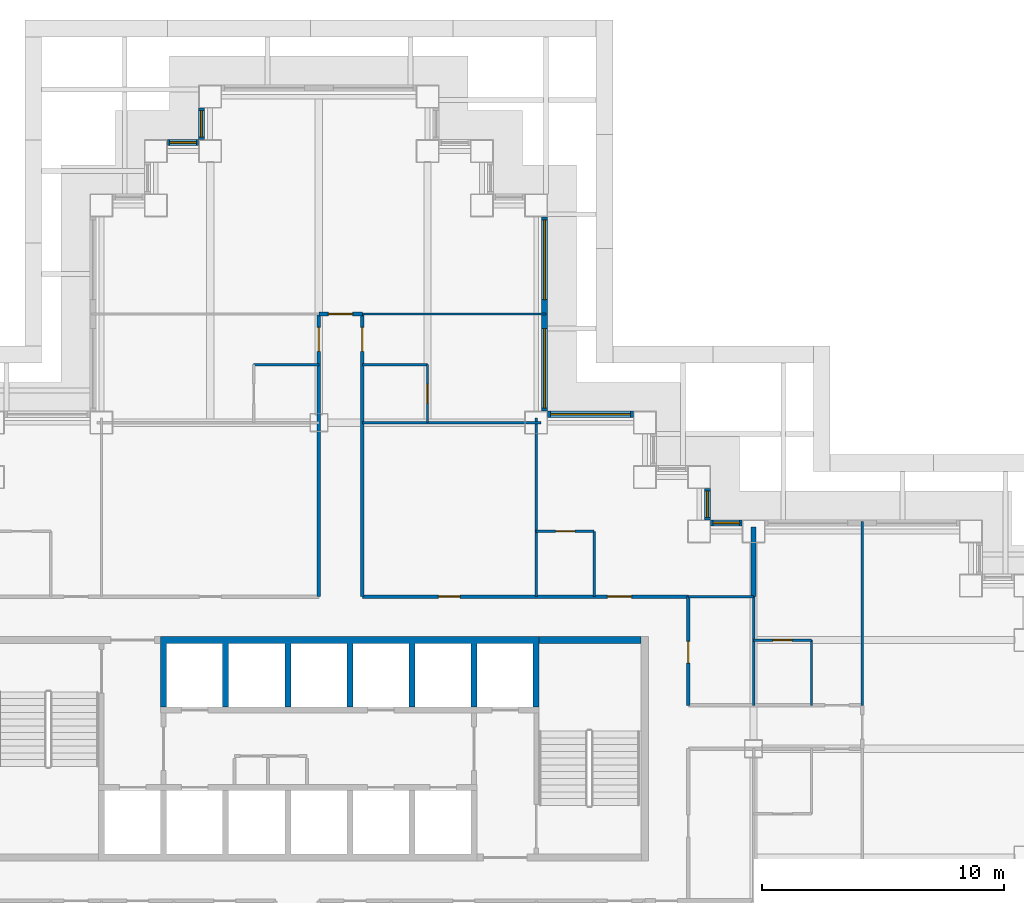
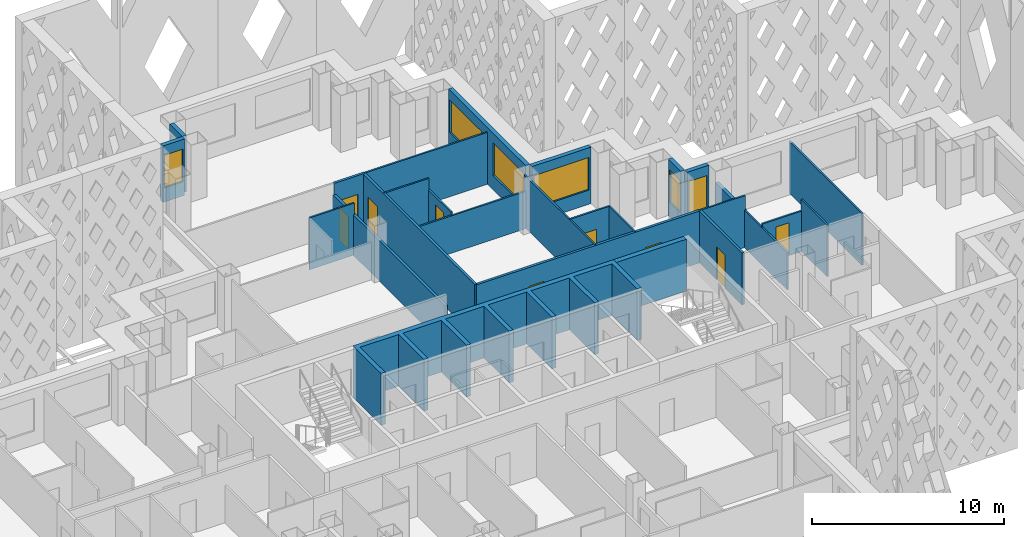
# One storey, part 8 of 19: 27 walls, 9 doors, 7 windows, 16 openings.
"""IFC4 building model written with IfcOpenShell, lengths in metres."""

from ifc_helpers import new_model, si_unit, direction, frame, frame_2d, origin, place, context, subcontext, project, spatial, polyline, rectangle, outline, extrude, material, layer, layer_set, type_object, element, fill, save


model = new_model("IFC4")

# Units and contexts
model_context = context("Model", 3, precision=1e-05, world=origin(), true_north=direction((0.0, 1.0)))
body_context = subcontext(model_context, "Body", "Model", "MODEL_VIEW")
ifc_project = project(units=[si_unit("LENGTHUNIT", "METRE"), si_unit("AREAUNIT", "SQUARE_METRE"), si_unit("VOLUMEUNIT", "CUBIC_METRE"), si_unit("PLANEANGLEUNIT", "RADIAN"), si_unit("MASSUNIT", "GRAM", prefix="KILO")], contexts=[model_context])

# Site, building, storey
site_placement = place(None, origin())
site = spatial("IfcSite", under=ifc_project, at=site_placement, CompositionType="ELEMENT")
building_placement = place(site_placement, origin())
building = spatial("IfcBuilding", under=site, at=building_placement, Name="Caravel Reach Hotel and Residences", CompositionType="ELEMENT")
storey_placement = place(building_placement, frame((0.0, 0.0, 85.199951171875)))
storey = spatial("IfcBuildingStorey", under=building, at=storey_placement, Name="L20", CompositionType="ELEMENT", Elevation=85.199951171875)

# Wall, opening, door
ifc_material_1 = material(Name="Gypsum board on steel stud", Category="steel")
ifc_layer_1 = layer(ifc_material_1, 0.10009765625)
ifc_layer_set_1 = layer_set([ifc_layer_1], Name="Bathroom pod wall 100 mm")
wall_type_1 = type_object("IfcWallType", Name="Bathroom pod wall 100 mm", PredefinedType="PARTITIONING", material=ifc_layer_set_1)
wall_1_placement = place(storey_placement, frame((49.5, 31.5, 0.0), z_axis=(0.0, 0.0, 1.0), x_axis=(1.0, 0.0, 0.0)))
wall_1 = element("IfcWall", 1, at=wall_1_placement, inside=storey, type_object=wall_type_1, Name="L20 wall w078", PredefinedType="PARTITIONING", context=body_context, shape_type="SweptSolid", body=[
    extrude(rectangle(XDim=2.39990234375, YDim=0.10009765625, at=frame_2d((1.199951171875, 0.0))), origin(), (0.0, 0.0, 1.0), 2.580078125),
])
opening_1_placement = place(wall_1_placement, frame((0.800048828125, 0.0, 0.0)))
opening_1 = element("IfcOpeningElement", 2, at=opening_1_placement, cuts=wall_1, Name="Opening D20-025", PredefinedType="OPENING", context=body_context, shape_type="SweptSolid", body=[
    extrude(rectangle(XDim=0.800048828125, YDim=2.10009765625, at=frame_2d((0.39990234375, 1.050048828125))), frame((0.0, 0.06005859375, 0.0), z_axis=(0.0, -1.0, 0.0), x_axis=(1.0, 0.0, 0.0)), (0.0, 0.0, 1.0), 0.1201171875),
])
ifc_material_2 = material(Name="Timber and steel door leaf", Category="steel")
door_type_1 = type_object("IfcDoorType", Name="Bathroom door 800 x 2100", OperationType="SINGLE_SWING_LEFT", PredefinedType="DOOR", material=ifc_material_2)
door_1_placement = place(opening_1_placement, origin())
door_1 = element("IfcDoor", 3, at=door_1_placement, inside=storey, type_object=door_type_1, Name="door D20-025", OperationType="SINGLE_SWING_RIGHT", OverallHeight=2.10009765625, OverallWidth=0.800048828125, PredefinedType="DOOR", context=body_context, shape_type="SweptSolid", body=[
    extrude(rectangle(XDim=0.800048828125, YDim=2.10009765625, at=frame_2d((0.39990234375, 1.050048828125))), frame((0.0, 0.02490234375, 0.0), z_axis=(0.0, -1.0, 0.0), x_axis=(1.0, 0.0, 0.0)), (0.0, 0.0, 1.0), 0.050048828125),
])
fill(opening_1, door_1)

wall_2_placement = place(storey_placement, frame((40.5, 36.0, 0.0), z_axis=(0.0, 0.0, 1.0), x_axis=(1.0, 0.0, 0.0)))
wall_2 = element("IfcWall", 4, at=wall_2_placement, inside=storey, type_object=wall_type_1, Name="L20 wall w080", PredefinedType="PARTITIONING", context=body_context, shape_type="SweptSolid", body=[
    extrude(rectangle(XDim=2.39990234375, YDim=0.10009765625, at=frame_2d((1.199951171875, 0.0))), origin(), (0.0, 0.0, 1.0), 3.300048828125),
])
opening_2_placement = place(wall_2_placement, frame((0.800048828125, 0.0, 0.0)))
opening_2 = element("IfcOpeningElement", 5, at=opening_2_placement, cuts=wall_2, Name="Opening D20-041", PredefinedType="OPENING", context=body_context, shape_type="SweptSolid", body=[
    extrude(rectangle(XDim=0.800048828125, YDim=2.10009765625, at=frame_2d((0.39990234375, 1.050048828125))), frame((0.0, 0.06005859375, 0.0), z_axis=(0.0, -1.0, 0.0), x_axis=(1.0, 0.0, 0.0)), (0.0, 0.0, 1.0), 0.1201171875),
])
door_2_placement = place(opening_2_placement, origin())
door_2 = element("IfcDoor", 6, at=door_2_placement, inside=storey, type_object=door_type_1, Name="door D20-041", OperationType="SINGLE_SWING_LEFT", OverallHeight=2.10009765625, OverallWidth=0.800048828125, PredefinedType="DOOR", context=body_context, shape_type="SweptSolid", body=[
    extrude(rectangle(XDim=0.800048828125, YDim=2.10009765625, at=frame_2d((0.39990234375, 1.050048828125))), frame((0.0, 0.02490234375, 0.0), z_axis=(0.0, -1.0, 0.0), x_axis=(1.0, 0.0, 0.0)), (0.0, 0.0, 1.0), 0.050048828125),
])
fill(opening_2, door_2)

# Walls
for number, where, z_axis, x_axis, name in (
    (7, (33.300048828125, 42.89990234375, 0.0), (0.0, 0.0, 1.0), (1.0, 0.0, 0.0), "L20 wall w081"),
    (8, (28.800048828125, 42.89990234375, 0.0), (0.0, 0.0, 1.0), (1.0, 0.0, 0.0), "L20 wall w082"),
):
    element("IfcWall", number, at=place(storey_placement, frame(where, z_axis=z_axis, x_axis=x_axis)), inside=storey, type_object=wall_type_1, Name=name, PredefinedType="PARTITIONING", context=body_context, shape_type="SweptSolid", body=[
        extrude(rectangle(XDim=2.699951171875, YDim=0.10009765625, at=frame_2d((1.35009765625, 0.0))), origin(), (0.0, 0.0, 1.0), 3.300048828125),
    ])

# Wall, opening, door
wall_3_placement = place(storey_placement, frame((36.0, 40.5, 0.0), z_axis=(0.0, 0.0, 1.0), x_axis=(0.0, 1.0, 0.0)))
wall_3 = element("IfcWall", 9, at=wall_3_placement, inside=storey, type_object=wall_type_1, Name="L20 wall w089", PredefinedType="PARTITIONING", context=body_context, shape_type="SweptSolid", body=[
    extrude(rectangle(XDim=2.39990234375, YDim=0.10009765625, at=frame_2d((1.199951171875, 0.0))), origin(), (0.0, 0.0, 1.0), 2.580078125),
])
opening_3_placement = place(wall_3_placement, frame((0.800048828125, 0.0, 0.0)))
opening_3 = element("IfcOpeningElement", 10, at=opening_3_placement, cuts=wall_3, Name="Opening D20-029", PredefinedType="OPENING", context=body_context, shape_type="SweptSolid", body=[
    extrude(rectangle(XDim=0.800048828125, YDim=2.10009765625, at=frame_2d((0.39990234375, 1.050048828125))), frame((0.0, 0.06005859375, 0.0), z_axis=(0.0, -1.0, 0.0), x_axis=(1.0, 0.0, 0.0)), (0.0, 0.0, 1.0), 0.1201171875),
])
door_3_placement = place(opening_3_placement, origin())
door_3 = element("IfcDoor", 11, at=door_3_placement, inside=storey, type_object=door_type_1, Name="door D20-029", OperationType="SINGLE_SWING_LEFT", OverallHeight=2.10009765625, OverallWidth=0.800048828125, PredefinedType="DOOR", context=body_context, shape_type="SweptSolid", body=[
    extrude(rectangle(XDim=0.800048828125, YDim=2.10009765625, at=frame_2d((0.39990234375, 1.050048828125))), frame((0.0, 0.02490234375, 0.0), z_axis=(0.0, -1.0, 0.0), x_axis=(1.0, 0.0, 0.0)), (0.0, 0.0, 1.0), 0.050048828125),
])
fill(opening_3, door_3)

# Walls
for number, where, z_axis, x_axis, name in (
    (12, (42.89990234375, 33.300048828125, 0.0), (0.0, 0.0, 1.0), (0.0, 1.0, 0.0), "L20 wall w090"),
    (13, (51.89990234375, 28.800048828125, 0.0), (0.0, 0.0, 1.0), (0.0, 1.0, 0.0), "L20 wall w092"),
):
    element("IfcWall", number, at=place(storey_placement, frame(where, z_axis=z_axis, x_axis=x_axis)), inside=storey, type_object=wall_type_1, Name=name, PredefinedType="PARTITIONING", context=body_context, shape_type="SweptSolid", body=[
        extrude(rectangle(XDim=2.699951171875, YDim=0.10009765625, at=frame_2d((1.35009765625, 0.0))), origin(), (0.0, 0.0, 1.0), 3.300048828125),
    ])
ifc_material_3 = material(Name="Concrete C60", Category="concrete")
ifc_layer_2 = layer(ifc_material_3, 0.300048828125)
ifc_layer_set_2 = layer_set([ifc_layer_2], Name="Core wall 300 mm EI 120")
wall_type_2 = type_object("IfcWallType", Name="Core wall 300 mm EI 120", PredefinedType="SHEAR", material=ifc_layer_set_2)
wall_4_placement = place(storey_placement, frame((40.625, 31.5, 0.0), z_axis=(0.0, 0.0, 1.0), x_axis=(1.0, 0.0, 0.0)))
element("IfcWall", 14, at=wall_4_placement, inside=storey, type_object=wall_type_2, Name="L20 core wall N2", PredefinedType="SHEAR", context=body_context, shape_type="SweptSolid", body=[
    extrude(rectangle(XDim=4.22509765625, YDim=0.300048828125, at=frame_2d((2.112548828125, 0.0))), origin(), (0.0, 0.0, 1.0), 3.300048828125),
])

# Wall, openings, doors
ifc_material_4 = material(Name="Gypsum board on steel stud, fire-rated", Category="steel")
ifc_layer_3 = layer(ifc_material_4, 0.14990234375)
ifc_layer_set_3 = layer_set([ifc_layer_3], Name="Corridor wall 150 mm EI 60")
wall_type_3 = type_object("IfcWallType", Name="Corridor wall 150 mm EI 60", PredefinedType="PARTITIONING", material=ifc_layer_set_3)
wall_5_placement = place(storey_placement, frame((33.300048828125, 33.300048828125, 0.0), z_axis=(0.0, 0.0, 1.0), x_axis=(1.0, 0.0, 0.0)))
wall_5 = element("IfcWall", 15, at=wall_5_placement, inside=storey, type_object=wall_type_3, Name="L20 wall w021", PredefinedType="PARTITIONING", context=body_context, shape_type="SweptSolid", body=[
    extrude(rectangle(XDim=13.5, YDim=0.14990234375, at=frame_2d((6.75, 0.0))), origin(), (0.0, 0.0, 1.0), 3.300048828125),
])
opening_4_placement = place(wall_5_placement, frame((10.14990234375, 0.0, 0.0)))
opening_4 = element("IfcOpeningElement", 16, at=opening_4_placement, cuts=wall_5, Name="Opening D20-040", PredefinedType="OPENING", context=body_context, shape_type="SweptSolid", body=[
    extrude(rectangle(XDim=1.0, YDim=2.10009765625, at=frame_2d((0.5, 1.050048828125))), frame((0.0, 0.0849609375, 0.0), z_axis=(0.0, -1.0, 0.0), x_axis=(1.0, 0.0, 0.0)), (0.0, 0.0, 1.0), 0.169921875),
])
opening_5_placement = place(wall_5_placement, frame((3.14990234375, 0.0, 0.0)))
opening_5 = element("IfcOpeningElement", 17, at=opening_5_placement, cuts=wall_5, Name="Opening D20-049", PredefinedType="OPENING", context=body_context, shape_type="SweptSolid", body=[
    extrude(rectangle(XDim=0.89990234375, YDim=2.10009765625, at=frame_2d((0.449951171875, 1.050048828125))), frame((0.0, 0.0849609375, 0.0), z_axis=(0.0, -1.0, 0.0), x_axis=(1.0, 0.0, 0.0)), (0.0, 0.0, 1.0), 0.169921875),
])
ifc_material_5 = material(Name="Timber and steel door leaf", Category="steel")
door_type_2 = type_object("IfcDoorType", Name="Door 900 x 2100 timber", OperationType="SINGLE_SWING_LEFT", PredefinedType="DOOR", material=ifc_material_5)
door_4_placement = place(opening_5_placement, origin())
door_4 = element("IfcDoor", 18, at=door_4_placement, inside=storey, type_object=door_type_2, Name="door D20-049", OperationType="SINGLE_SWING_RIGHT", OverallHeight=2.10009765625, OverallWidth=0.89990234375, PredefinedType="DOOR", context=body_context, shape_type="SweptSolid", body=[
    extrude(rectangle(XDim=0.89990234375, YDim=2.10009765625, at=frame_2d((0.449951171875, 1.050048828125))), frame((0.0, 0.02490234375, 0.0), z_axis=(0.0, -1.0, 0.0), x_axis=(1.0, 0.0, 0.0)), (0.0, 0.0, 1.0), 0.050048828125),
])
fill(opening_5, door_4)
ifc_material_6 = material(Name="Steel fire door leaf", Category="steel")
door_type_3 = type_object("IfcDoorType", Name="Guest room door 1000 x 2100 EI 30", OperationType="SINGLE_SWING_LEFT", PredefinedType="DOOR", material=ifc_material_6)
door_5_placement = place(opening_4_placement, origin())
door_5 = element("IfcDoor", 19, at=door_5_placement, inside=storey, type_object=door_type_3, Name="door D20-040", OperationType="SINGLE_SWING_RIGHT", OverallHeight=2.10009765625, OverallWidth=1.0, PredefinedType="DOOR", context=body_context, shape_type="SweptSolid", body=[
    extrude(rectangle(XDim=1.0, YDim=2.10009765625, at=frame_2d((0.5, 1.050048828125))), frame((0.0, 0.02490234375, 0.0), z_axis=(0.0, -1.0, 0.0), x_axis=(1.0, 0.0, 0.0)), (0.0, 0.0, 1.0), 0.050048828125),
])
fill(opening_4, door_5)

# Wall, opening, door
wall_6_placement = place(storey_placement, frame((31.5, 45.0, 0.0), z_axis=(0.0, 0.0, 1.0), x_axis=(1.0, 0.0, 0.0)))
wall_6 = element("IfcWall", 20, at=wall_6_placement, inside=storey, type_object=wall_type_3, Name="L20 wall w022", PredefinedType="PARTITIONING", context=body_context, shape_type="SweptSolid", body=[
    extrude(rectangle(XDim=1.800048828125, YDim=0.14990234375, at=frame_2d((0.89990234375, 0.0))), origin(), (0.0, 0.0, 1.0), 3.300048828125),
])
opening_6_placement = place(wall_6_placement, frame((0.39990234375, 0.0, 0.0)))
opening_6 = element("IfcOpeningElement", 21, at=opening_6_placement, cuts=wall_6, Name="Opening D20-036", PredefinedType="OPENING", context=body_context, shape_type="SweptSolid", body=[
    extrude(rectangle(XDim=1.0, YDim=2.10009765625, at=frame_2d((0.5, 1.050048828125))), frame((0.0, 0.0849609375, 0.0), z_axis=(0.0, -1.0, 0.0), x_axis=(1.0, 0.0, 0.0)), (0.0, 0.0, 1.0), 0.169921875),
])
door_6_placement = place(opening_6_placement, origin())
door_6 = element("IfcDoor", 22, at=door_6_placement, inside=storey, type_object=door_type_3, Name="door D20-036", OperationType="SINGLE_SWING_RIGHT", OverallHeight=2.10009765625, OverallWidth=1.0, PredefinedType="DOOR", context=body_context, shape_type="SweptSolid", body=[
    extrude(rectangle(XDim=1.0, YDim=2.10009765625, at=frame_2d((0.5, 1.050048828125))), frame((0.0, 0.02490234375, 0.0), z_axis=(0.0, -1.0, 0.0), x_axis=(1.0, 0.0, 0.0)), (0.0, 0.0, 1.0), 0.050048828125),
])
fill(opening_6, door_6)

wall_7_placement = place(storey_placement, frame((31.5, 33.300048828125, 0.0), z_axis=(0.0, 0.0, 1.0), x_axis=(0.0, 1.0, 0.0)))
wall_7 = element("IfcWall", 23, at=wall_7_placement, inside=storey, type_object=wall_type_3, Name="L20 wall w030", PredefinedType="PARTITIONING", context=body_context, shape_type="SweptSolid", body=[
    extrude(rectangle(XDim=11.699951171875, YDim=0.14990234375, at=frame_2d((5.85009765625, 0.0))), origin(), (0.0, 0.0, 1.0), 2.580078125),
])
opening_7_placement = place(wall_7_placement, frame((10.14990234375, 0.0, 0.0)))
opening_7 = element("IfcOpeningElement", 24, at=opening_7_placement, cuts=wall_7, Name="Opening D20-026", PredefinedType="OPENING", context=body_context, shape_type="SweptSolid", body=[
    extrude(rectangle(XDim=1.0, YDim=2.10009765625, at=frame_2d((0.5, 1.050048828125))), frame((0.0, 0.0849609375, 0.0), z_axis=(0.0, -1.0, 0.0), x_axis=(1.0, 0.0, 0.0)), (0.0, 0.0, 1.0), 0.169921875),
])
door_7_placement = place(opening_7_placement, origin())
door_7 = element("IfcDoor", 25, at=door_7_placement, inside=storey, type_object=door_type_3, Name="door D20-026", OperationType="SINGLE_SWING_RIGHT", OverallHeight=2.10009765625, OverallWidth=1.0, PredefinedType="DOOR", context=body_context, shape_type="SweptSolid", body=[
    extrude(rectangle(XDim=1.0, YDim=2.10009765625, at=frame_2d((0.5, 1.050048828125))), frame((0.0, 0.02490234375, 0.0), z_axis=(0.0, -1.0, 0.0), x_axis=(1.0, 0.0, 0.0)), (0.0, 0.0, 1.0), 0.050048828125),
])
fill(opening_7, door_7)

wall_8_placement = place(storey_placement, frame((33.300048828125, 33.300048828125, 0.0), z_axis=(0.0, 0.0, 1.0), x_axis=(0.0, 1.0, 0.0)))
wall_8 = element("IfcWall", 26, at=wall_8_placement, inside=storey, type_object=wall_type_3, Name="L20 wall w033", PredefinedType="PARTITIONING", context=body_context, shape_type="SweptSolid", body=[
    extrude(rectangle(XDim=11.699951171875, YDim=0.14990234375, at=frame_2d((5.85009765625, 0.0))), origin(), (0.0, 0.0, 1.0), 3.300048828125),
])
opening_8_placement = place(wall_8_placement, frame((10.14990234375, 0.0, 0.0)))
opening_8 = element("IfcOpeningElement", 27, at=opening_8_placement, cuts=wall_8, Name="Opening D20-028", PredefinedType="OPENING", context=body_context, shape_type="SweptSolid", body=[
    extrude(rectangle(XDim=1.0, YDim=2.10009765625, at=frame_2d((0.5, 1.050048828125))), frame((0.0, 0.0849609375, 0.0), z_axis=(0.0, -1.0, 0.0), x_axis=(1.0, 0.0, 0.0)), (0.0, 0.0, 1.0), 0.169921875),
])
door_8_placement = place(opening_8_placement, origin())
door_8 = element("IfcDoor", 28, at=door_8_placement, inside=storey, type_object=door_type_3, Name="door D20-028", OperationType="SINGLE_SWING_RIGHT", OverallHeight=2.10009765625, OverallWidth=1.0, PredefinedType="DOOR", context=body_context, shape_type="SweptSolid", body=[
    extrude(rectangle(XDim=1.0, YDim=2.10009765625, at=frame_2d((0.5, 1.050048828125))), frame((0.0, 0.02490234375, 0.0), z_axis=(0.0, -1.0, 0.0), x_axis=(1.0, 0.0, 0.0)), (0.0, 0.0, 1.0), 0.050048828125),
])
fill(opening_8, door_8)

wall_9_placement = place(storey_placement, frame((46.800048828125, 28.800048828125, 0.0), z_axis=(0.0, 0.0, 1.0), x_axis=(0.0, 1.0, 0.0)))
wall_9 = element("IfcWall", 29, at=wall_9_placement, inside=storey, type_object=wall_type_3, Name="L20 wall w035", PredefinedType="PARTITIONING", context=body_context, shape_type="SweptSolid", body=[
    extrude(rectangle(XDim=4.5, YDim=0.14990234375, at=frame_2d((2.25, 0.0))), origin(), (0.0, 0.0, 1.0), 3.300048828125),
])
opening_9_placement = place(wall_9_placement, frame((1.75, 0.0, 0.0)))
opening_9 = element("IfcOpeningElement", 30, at=opening_9_placement, cuts=wall_9, Name="Opening D20-057", PredefinedType="OPENING", context=body_context, shape_type="SweptSolid", body=[
    extrude(rectangle(XDim=0.89990234375, YDim=2.10009765625, at=frame_2d((0.449951171875, 1.050048828125))), frame((0.0, 0.0849609375, 0.0), z_axis=(0.0, -1.0, 0.0), x_axis=(1.0, 0.0, 0.0)), (0.0, 0.0, 1.0), 0.169921875),
])
door_9_placement = place(opening_9_placement, origin())
door_9 = element("IfcDoor", 31, at=door_9_placement, inside=storey, type_object=door_type_2, Name="door D20-057", OperationType="SINGLE_SWING_LEFT", OverallHeight=2.10009765625, OverallWidth=0.89990234375, PredefinedType="DOOR", context=body_context, shape_type="SweptSolid", body=[
    extrude(rectangle(XDim=0.89990234375, YDim=2.10009765625, at=frame_2d((0.449951171875, 1.050048828125))), frame((0.0, 0.02490234375, 0.0), z_axis=(0.0, -1.0, 0.0), x_axis=(1.0, 0.0, 0.0)), (0.0, 0.0, 1.0), 0.050048828125),
])
fill(opening_9, door_9)

# Wall, opening, window
ifc_material_7 = material(Name="Insulated rainscreen wall, aluminium cladding", Category="aluminium")
ifc_layer_4 = layer(ifc_material_7, 0.25)
ifc_layer_set_4 = layer_set([ifc_layer_4], Name="EW1 Tower rainscreen wall")
wall_type_4 = type_object("IfcWallType", Name="EW1 Tower rainscreen wall", PredefinedType="SOLIDWALL", material=ifc_layer_set_4)
wall_10_placement = place(storey_placement, frame((49.02490234375, 36.35009765625, 0.0), z_axis=(0.0, 0.0, 1.0), x_axis=(-1.0, 0.0, 0.0)))
wall_10 = element("IfcWall", 32, at=wall_10_placement, inside=storey, type_object=wall_type_4, Name="External wall L20 N25.2", PredefinedType="SOLIDWALL", context=body_context, shape_type="SweptSolid", body=[
    extrude(rectangle(XDim=1.2998046875, YDim=0.25, at=frame_2d((0.64990234375, 0.0))), origin(), (0.0, 0.0, 1.0), 3.60009765625),
])
opening_10_placement = place(wall_10_placement, frame((0.10009765625, 0.0, 0.89990234375)))
opening_10 = element("IfcOpeningElement", 33, at=opening_10_placement, cuts=wall_10, Name="Opening WN5", PredefinedType="OPENING", context=body_context, shape_type="SweptSolid", body=[
    extrude(rectangle(XDim=1.10009765625, YDim=2.080078125, at=frame_2d((0.550048828125, 1.0400390625))), frame((0.0, 0.135009765625, 0.0), z_axis=(0.0, -1.0, 0.0), x_axis=(1.0, 0.0, 0.0)), (0.0, 0.0, 1.0), 0.27001953125),
])
ifc_material_8 = material(Name="Dark low-e glazing in black aluminium frame", Category="aluminium")
window_type_1 = type_object("IfcWindowType", Name="Hotel suite corner window 1100 x 2080", PartitioningType="SINGLE_PANEL", PredefinedType="WINDOW", material=ifc_material_8)
window_1_placement = place(opening_10_placement, origin())
window_1 = element("IfcWindow", 34, at=window_1_placement, inside=storey, type_object=window_type_1, Name="Window L20 N25.2.1", OverallHeight=2.080078125, OverallWidth=1.10009765625, PartitioningType="SINGLE_PANEL", PredefinedType="WINDOW", context=body_context, shape_type="SweptSolid", body=[
    extrude(rectangle(XDim=1.10009765625, YDim=2.080078125, at=frame_2d((0.550048828125, 1.0400390625))), frame((0.0, 0.030029296875, 0.0), z_axis=(0.0, -1.0, 0.0), x_axis=(1.0, 0.0, 0.0)), (0.0, 0.0, 1.0), 0.06005859375),
])
fill(opening_10, window_1)

wall_11_placement = place(storey_placement, frame((47.60009765625, 36.47509765625, 0.0), z_axis=(0.0, 0.0, 1.0), x_axis=(0.0, 1.0, 0.0)))
wall_11 = element("IfcWall", 35, at=wall_11_placement, inside=storey, type_object=wall_type_4, Name="External wall L20 E26.1", PredefinedType="SOLIDWALL", context=body_context, shape_type="SweptSolid", body=[
    extrude(rectangle(XDim=1.2998046875, YDim=0.25, at=frame_2d((0.64990234375, 0.0))), origin(), (0.0, 0.0, 1.0), 3.60009765625),
])
opening_11_placement = place(wall_11_placement, frame((0.10009765625, 0.0, 0.89990234375)))
opening_11 = element("IfcOpeningElement", 36, at=opening_11_placement, cuts=wall_11, Name="Opening WN5", PredefinedType="OPENING", context=body_context, shape_type="SweptSolid", body=[
    extrude(rectangle(XDim=1.10009765625, YDim=2.080078125, at=frame_2d((0.550048828125, 1.0400390625))), frame((0.0, 0.135009765625, 0.0), z_axis=(0.0, -1.0, 0.0), x_axis=(1.0, 0.0, 0.0)), (0.0, 0.0, 1.0), 0.27001953125),
])
window_2_placement = place(opening_11_placement, origin())
window_2 = element("IfcWindow", 37, at=window_2_placement, inside=storey, type_object=window_type_1, Name="Window L20 E26.1.1", OverallHeight=2.080078125, OverallWidth=1.10009765625, PartitioningType="SINGLE_PANEL", PredefinedType="WINDOW", context=body_context, shape_type="SweptSolid", body=[
    extrude(rectangle(XDim=1.10009765625, YDim=2.080078125, at=frame_2d((0.550048828125, 1.0400390625))), frame((0.0, 0.030029296875, 0.0), z_axis=(0.0, -1.0, 0.0), x_axis=(1.0, 0.0, 0.0)), (0.0, 0.0, 1.0), 0.06005859375),
])
fill(opening_11, window_2)

wall_12_placement = place(storey_placement, frame((44.52490234375, 40.85009765625, 0.0), z_axis=(0.0, 0.0, 1.0), x_axis=(-1.0, 0.0, 0.0)))
wall_12 = element("IfcWall", 38, at=wall_12_placement, inside=storey, type_object=wall_type_4, Name="External wall L20 N29.1", PredefinedType="SOLIDWALL", context=body_context, shape_type="SweptSolid", body=[
    extrude(rectangle(XDim=3.5498046875, YDim=0.25, at=frame_2d((1.77490234375, 0.0))), origin(), (0.0, 0.0, 1.0), 3.60009765625),
])
opening_12_placement = place(wall_12_placement, frame((0.125, 0.0, 0.89990234375)))
opening_12 = element("IfcOpeningElement", 39, at=opening_12_placement, cuts=wall_12, Name="Opening WN4", PredefinedType="OPENING", context=body_context, shape_type="SweptSolid", body=[
    extrude(rectangle(XDim=3.300048828125, YDim=2.080078125, at=frame_2d((1.64990234375, 1.0400390625))), frame((0.0, 0.135009765625, 0.0), z_axis=(0.0, -1.0, 0.0), x_axis=(1.0, 0.0, 0.0)), (0.0, 0.0, 1.0), 0.27001953125),
])
ifc_material_9 = material(Name="Dark low-e glazing in black aluminium frame", Category="aluminium")
window_type_2 = type_object("IfcWindowType", Name="Hotel guest room window 3300 x 2080", PartitioningType="SINGLE_PANEL", PredefinedType="WINDOW", material=ifc_material_9)
window_3_placement = place(opening_12_placement, origin())
window_3 = element("IfcWindow", 40, at=window_3_placement, inside=storey, type_object=window_type_2, Name="Window L20 N29.1.1", OverallHeight=2.080078125, OverallWidth=3.300048828125, PartitioningType="SINGLE_PANEL", PredefinedType="WINDOW", context=body_context, shape_type="SweptSolid", body=[
    extrude(rectangle(XDim=3.300048828125, YDim=2.080078125, at=frame_2d((1.64990234375, 1.0400390625))), frame((0.0, 0.030029296875, 0.0), z_axis=(0.0, -1.0, 0.0), x_axis=(1.0, 0.0, 0.0)), (0.0, 0.0, 1.0), 0.06005859375),
])
fill(opening_12, window_3)

# Wall, openings, windows
wall_13_placement = place(storey_placement, frame((40.85009765625, 40.97509765625, 0.0), z_axis=(0.0, 0.0, 1.0), x_axis=(0.0, 1.0, 0.0)))
wall_13 = element("IfcWall", 41, at=wall_13_placement, inside=storey, type_object=wall_type_4, Name="External wall L20 E30.1", PredefinedType="SOLIDWALL", context=body_context, shape_type="SweptSolid", body=[
    extrude(rectangle(XDim=8.0498046875, YDim=0.25, at=frame_2d((4.02490234375, 0.0))), origin(), (0.0, 0.0, 1.0), 3.60009765625),
])
opening_13_placement = place(wall_13_placement, frame((0.125, 0.0, 0.89990234375)))
opening_13 = element("IfcOpeningElement", 42, at=opening_13_placement, cuts=wall_13, Name="Opening WN4", PredefinedType="OPENING", context=body_context, shape_type="SweptSolid", body=[
    extrude(rectangle(XDim=3.300048828125, YDim=2.080078125, at=frame_2d((1.64990234375, 1.0400390625))), frame((0.0, 0.135009765625, 0.0), z_axis=(0.0, -1.0, 0.0), x_axis=(1.0, 0.0, 0.0)), (0.0, 0.0, 1.0), 0.27001953125),
])
opening_14_placement = place(wall_13_placement, frame((4.625, 0.0, 0.89990234375)))
opening_14 = element("IfcOpeningElement", 43, at=opening_14_placement, cuts=wall_13, Name="Opening WN4", PredefinedType="OPENING", context=body_context, shape_type="SweptSolid", body=[
    extrude(rectangle(XDim=3.300048828125, YDim=2.080078125, at=frame_2d((1.64990234375, 1.0400390625))), frame((0.0, 0.135009765625, 0.0), z_axis=(0.0, -1.0, 0.0), x_axis=(1.0, 0.0, 0.0)), (0.0, 0.0, 1.0), 0.27001953125),
])
window_4_placement = place(opening_13_placement, origin())
window_4 = element("IfcWindow", 44, at=window_4_placement, inside=storey, type_object=window_type_2, Name="Window L20 E30.1.1", OverallHeight=2.080078125, OverallWidth=3.300048828125, PartitioningType="SINGLE_PANEL", PredefinedType="WINDOW", context=body_context, shape_type="SweptSolid", body=[
    extrude(rectangle(XDim=3.300048828125, YDim=2.080078125, at=frame_2d((1.64990234375, 1.0400390625))), frame((0.0, 0.030029296875, 0.0), z_axis=(0.0, -1.0, 0.0), x_axis=(1.0, 0.0, 0.0)), (0.0, 0.0, 1.0), 0.06005859375),
])
fill(opening_13, window_4)
window_5_placement = place(opening_14_placement, origin())
window_5 = element("IfcWindow", 45, at=window_5_placement, inside=storey, type_object=window_type_2, Name="Window L20 E30.1.2", OverallHeight=2.080078125, OverallWidth=3.300048828125, PartitioningType="SINGLE_PANEL", PredefinedType="WINDOW", context=body_context, shape_type="SweptSolid", body=[
    extrude(rectangle(XDim=3.300048828125, YDim=2.080078125, at=frame_2d((1.64990234375, 1.0400390625))), frame((0.0, 0.030029296875, 0.0), z_axis=(0.0, -1.0, 0.0), x_axis=(1.0, 0.0, 0.0)), (0.0, 0.0, 1.0), 0.06005859375),
])
fill(opening_14, window_5)

# Wall, opening, window
wall_14_placement = place(storey_placement, frame((26.64990234375, 53.52490234375, 0.0), z_axis=(0.0, 0.0, 1.0), x_axis=(0.0, -1.0, 0.0)))
wall_14 = element("IfcWall", 46, at=wall_14_placement, inside=storey, type_object=wall_type_4, Name="External wall L20 W36.1", PredefinedType="SOLIDWALL", context=body_context, shape_type="SweptSolid", body=[
    extrude(rectangle(XDim=1.2998046875, YDim=0.25, at=frame_2d((0.64990234375, 0.0))), origin(), (0.0, 0.0, 1.0), 3.60009765625),
])
opening_15_placement = place(wall_14_placement, frame((0.10009765625, 0.0, 0.89990234375)))
opening_15 = element("IfcOpeningElement", 47, at=opening_15_placement, cuts=wall_14, Name="Opening WN5", PredefinedType="OPENING", context=body_context, shape_type="SweptSolid", body=[
    extrude(rectangle(XDim=1.10009765625, YDim=2.080078125, at=frame_2d((0.550048828125, 1.0400390625))), frame((0.0, 0.135009765625, 0.0), z_axis=(0.0, -1.0, 0.0), x_axis=(1.0, 0.0, 0.0)), (0.0, 0.0, 1.0), 0.27001953125),
])
window_6_placement = place(opening_15_placement, origin())
window_6 = element("IfcWindow", 48, at=window_6_placement, inside=storey, type_object=window_type_1, Name="Window L20 W36.1.1", OverallHeight=2.080078125, OverallWidth=1.10009765625, PartitioningType="SINGLE_PANEL", PredefinedType="WINDOW", context=body_context, shape_type="SweptSolid", body=[
    extrude(rectangle(XDim=1.10009765625, YDim=2.080078125, at=frame_2d((0.550048828125, 1.0400390625))), frame((0.0, 0.030029296875, 0.0), z_axis=(0.0, -1.0, 0.0), x_axis=(1.0, 0.0, 0.0)), (0.0, 0.0, 1.0), 0.06005859375),
])
fill(opening_15, window_6)

wall_15_placement = place(storey_placement, frame((26.52490234375, 52.10009765625, 0.0), z_axis=(0.0, 0.0, 1.0), x_axis=(-1.0, 0.0, 0.0)))
wall_15 = element("IfcWall", 49, at=wall_15_placement, inside=storey, type_object=wall_type_4, Name="External wall L20 N37.1", PredefinedType="SOLIDWALL", context=body_context, shape_type="SweptSolid", body=[
    extrude(rectangle(XDim=1.2998046875, YDim=0.25, at=frame_2d((0.64990234375, 0.0))), origin(), (0.0, 0.0, 1.0), 3.60009765625),
])
opening_16_placement = place(wall_15_placement, frame((0.10009765625, 0.0, 0.89990234375)))
opening_16 = element("IfcOpeningElement", 50, at=opening_16_placement, cuts=wall_15, Name="Opening WN5", PredefinedType="OPENING", context=body_context, shape_type="SweptSolid", body=[
    extrude(rectangle(XDim=1.10009765625, YDim=2.080078125, at=frame_2d((0.550048828125, 1.0400390625))), frame((0.0, 0.135009765625, 0.0), z_axis=(0.0, -1.0, 0.0), x_axis=(1.0, 0.0, 0.0)), (0.0, 0.0, 1.0), 0.27001953125),
])
window_7_placement = place(opening_16_placement, origin())
window_7 = element("IfcWindow", 51, at=window_7_placement, inside=storey, type_object=window_type_1, Name="Window L20 N37.1.1", OverallHeight=2.080078125, OverallWidth=1.10009765625, PartitioningType="SINGLE_PANEL", PredefinedType="WINDOW", context=body_context, shape_type="SweptSolid", body=[
    extrude(rectangle(XDim=1.10009765625, YDim=2.080078125, at=frame_2d((0.550048828125, 1.0400390625))), frame((0.0, 0.030029296875, 0.0), z_axis=(0.0, -1.0, 0.0), x_axis=(1.0, 0.0, 0.0)), (0.0, 0.0, 1.0), 0.06005859375),
])
fill(opening_16, window_7)

# Walls
ifc_material_10 = material(Name="Gypsum board on steel stud", Category="steel")
ifc_layer_5 = layer(ifc_material_10, 0.10009765625)
ifc_layer_set_5 = layer_set([ifc_layer_5], Name="Partition 100 mm")
wall_type_5 = type_object("IfcWallType", Name="Partition 100 mm", PredefinedType="PARTITIONING", material=ifc_layer_set_5)
wall_16_placement = place(storey_placement, frame((46.800048828125, 33.300048828125, 0.0), z_axis=(0.0, 0.0, 1.0), x_axis=(1.0, 0.0, 0.0)))
element("IfcWall", 52, at=wall_16_placement, inside=storey, type_object=wall_type_5, Name="L20 wall w044", PredefinedType="PARTITIONING", context=body_context, shape_type="SweptSolid", body=[
    extrude(rectangle(XDim=2.699951171875, YDim=0.10009765625, at=frame_2d((1.35009765625, 0.0))), origin(), (0.0, 0.0, 1.0), 3.300048828125),
])
wall_17_placement = place(storey_placement, frame((33.300048828125, 40.5, 0.0), z_axis=(0.0, 0.0, 1.0), x_axis=(1.0, 0.0, 0.0)))
element("IfcWall", 53, at=wall_17_placement, inside=storey, type_object=wall_type_5, Name="L20 wall w045", PredefinedType="PARTITIONING", context=body_context, shape_type="SweptSolid", body=[
    extrude(rectangle(XDim=7.389892578125, YDim=0.10009765625, at=frame_2d((3.69482421875, 0.0))), origin(), (0.0, 0.0, 1.0), 2.380126953125),
])
wall_18_placement = place(storey_placement, frame((33.300048828125, 45.0, 0.0), z_axis=(0.0, 0.0, 1.0), x_axis=(1.0, 0.0, 0.0)))
element("IfcWall", 54, at=wall_18_placement, inside=storey, type_object=wall_type_5, Name="L20 wall w047", PredefinedType="PARTITIONING", context=body_context, shape_type="SweptSolid", body=[
    extrude(rectangle(XDim=7.614990234375, YDim=0.10009765625, at=frame_2d((3.8076171875, 0.0))), origin(), (0.0, 0.0, 1.0), 3.300048828125),
])
wall_19_placement = place(storey_placement, frame((40.5, 33.300048828125, 0.0), z_axis=(0.0, 0.0, 1.0), x_axis=(0.0, 1.0, 0.0)))
element("IfcWall", 55, at=wall_19_placement, inside=storey, type_object=wall_type_5, Name="L20 wall w061", PredefinedType="PARTITIONING", context=body_context, shape_type="SweptSolid", body=[
    extrude(rectangle(XDim=7.389892578125, YDim=0.10009765625, at=frame_2d((3.69482421875, 0.0))), origin(), (0.0, 0.0, 1.0), 3.300048828125),
])
wall_20_placement = place(storey_placement, frame((49.5, 28.800048828125, 0.0), z_axis=(0.0, 0.0, 1.0), x_axis=(0.0, 1.0, 0.0)))
element("IfcWall", 56, at=wall_20_placement, inside=storey, type_object=wall_type_5, Name="L20 wall w063", PredefinedType="PARTITIONING", context=body_context, shape_type="SweptSolid", body=[
    extrude(rectangle(XDim=4.5, YDim=0.10009765625, at=frame_2d((2.25, 0.0))), origin(), (0.0, 0.0, 1.0), 2.380126953125),
])
wall_21_placement = place(storey_placement, frame((54.0, 28.800048828125, 0.0), z_axis=(0.0, 0.0, 1.0), x_axis=(0.0, 1.0, 0.0)))
element("IfcWall", 57, at=wall_21_placement, inside=storey, type_object=wall_type_5, Name="L20 wall w065", PredefinedType="PARTITIONING", context=body_context, shape_type="SweptSolid", body=[
    extrude(rectangle(XDim=7.614990234375, YDim=0.10009765625, at=frame_2d((3.8076171875, 0.0))), origin(), (0.0, 0.0, 1.0), 3.300048828125),
])
ifc_material_11 = material(Name="Autoclaved aerated block wall")
ifc_layer_6 = layer(ifc_material_11, 0.199951171875)
ifc_layer_set_6 = layer_set([ifc_layer_6], Name="Party wall 200 mm EI 60")
wall_type_6 = type_object("IfcWallType", Name="Party wall 200 mm EI 60", PredefinedType="PARTITIONING", material=ifc_layer_set_6)
wall_22_placement = place(storey_placement, frame((49.5, 33.300048828125, 0.0), z_axis=(0.0, 0.0, 1.0), x_axis=(0.0, 1.0, 0.0)))
element("IfcWall", 58, at=wall_22_placement, inside=storey, type_object=wall_type_6, Name="L20 wall w070", PredefinedType="PARTITIONING", context=body_context, shape_type="SweptSolid", body=[
    extrude(rectangle(XDim=2.889892578125, YDim=0.199951171875, at=frame_2d((1.44482421875, 0.0))), origin(), (0.0, 0.0, 1.0), 2.380126953125),
])
ifc_material_12 = material(Name="Concrete C60", Category="concrete")
ifc_layer_7 = layer(ifc_material_12, 0.25)
ifc_layer_set_7 = layer_set([ifc_layer_7], Name="Shaft wall 250 mm EI 120")
wall_type_7 = type_object("IfcWallType", Name="Shaft wall 250 mm EI 120", PredefinedType="SHEAR", material=ifc_layer_set_7)
wall_23_placement = place(storey_placement, origin())
element("IfcWall", 59, at=wall_23_placement, inside=storey, type_object=wall_type_7, Name="L20 lift shaft wall N1", PredefinedType="SHEAR", context=body_context, shape_type="SweptSolid", body=[
    extrude(outline(polyline([(24.946533203125, 28.72509765625), (25.196533203125, 28.72509765625), (25.196533203125, 31.35009765625), (27.517822265625, 31.35009765625), (27.517822265625, 28.72509765625), (27.767822265625, 28.72509765625), (27.767822265625, 31.35009765625), (30.08935546875, 31.35009765625), (30.08935546875, 28.72509765625), (30.33935546875, 28.72509765625), (30.33935546875, 31.35009765625), (32.66064453125, 31.35009765625), (32.66064453125, 28.72509765625), (32.91064453125, 28.72509765625), (32.91064453125, 31.35009765625), (35.232177734375, 31.35009765625), (35.232177734375, 28.72509765625), (35.482177734375, 28.72509765625), (35.482177734375, 31.35009765625), (37.803466796875, 31.35009765625), (37.803466796875, 28.72509765625), (38.053466796875, 28.72509765625), (38.053466796875, 31.35009765625), (40.375, 31.35009765625), (40.375, 28.72509765625), (40.625, 28.72509765625), (40.625, 31.64990234375), (24.946533203125, 31.64990234375), (24.946533203125, 28.72509765625)])), origin(), (0.0, 0.0, 1.0), 3.300048828125),
])

save(model, "model.ifc")
